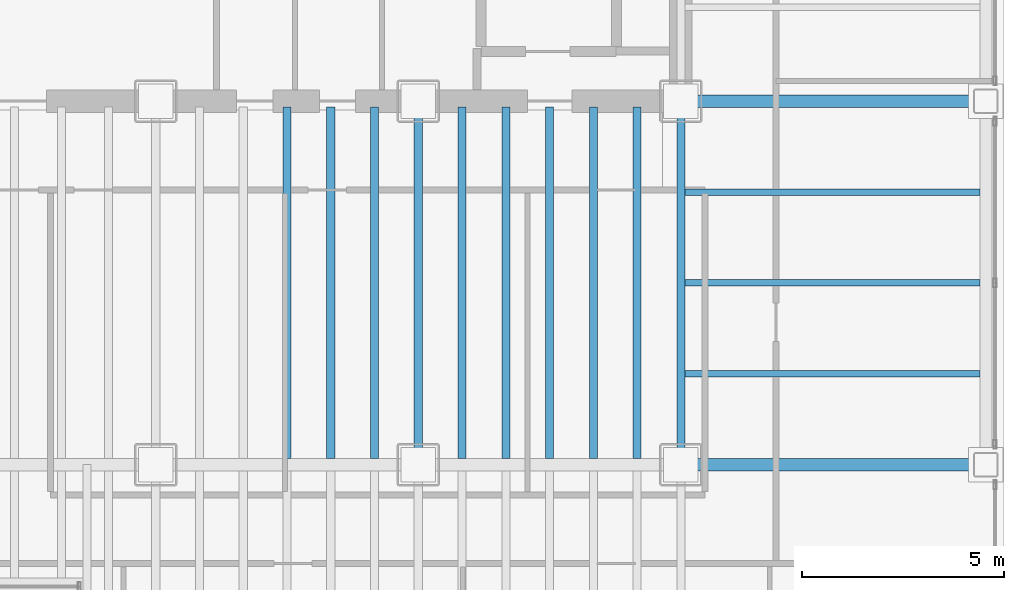
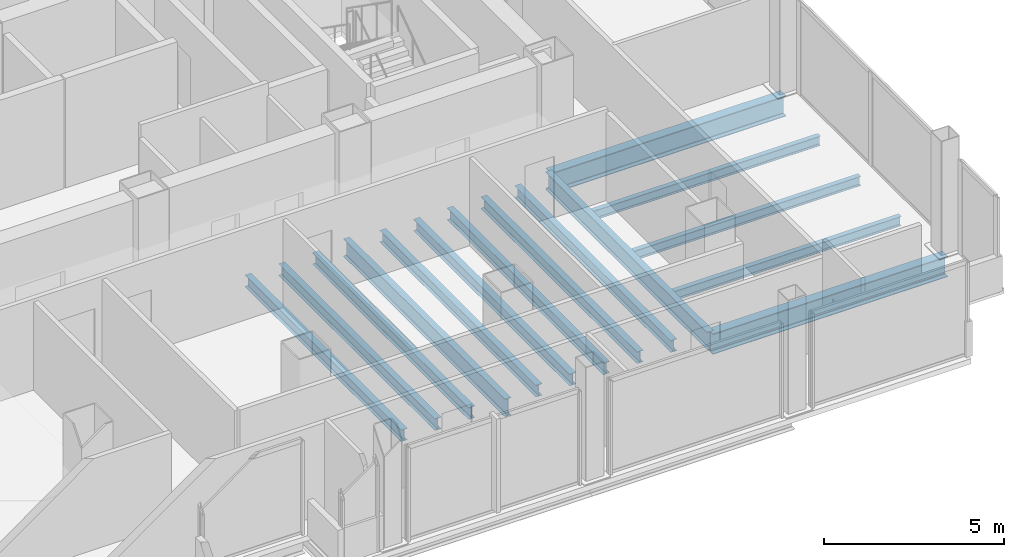
# One storey, part 10 of 21: 15 beams.
"""IFC4 building model written with IfcOpenShell, lengths in metres."""

from ifc_helpers import new_model, si_unit, direction, frame, origin, origin_2d, place, context, subcontext, project, spatial, i_section, extrude, material, material_profile, profile_set, type_object, element, save


model = new_model("IFC4")

# Units and contexts
model_context = context("Model", 3, precision=1e-05, world=origin(), true_north=direction((0.0, 1.0)))
body_context = subcontext(model_context, "Body", "Model", "MODEL_VIEW")
ifc_project = project(units=[si_unit("LENGTHUNIT", "METRE"), si_unit("AREAUNIT", "SQUARE_METRE"), si_unit("VOLUMEUNIT", "CUBIC_METRE"), si_unit("PLANEANGLEUNIT", "RADIAN"), si_unit("MASSUNIT", "GRAM", prefix="KILO")], contexts=[model_context])

# Site, building, storey
site_placement = place(None, origin())
site = spatial("IfcSite", under=ifc_project, at=site_placement, CompositionType="ELEMENT")
building_placement = place(site_placement, origin())
building = spatial("IfcBuilding", under=site, at=building_placement, Name="Noeulbin Bourse Tower", CompositionType="ELEMENT")
storey_placement = place(building_placement, frame((0.0, 0.0, 38.199951171875)))
storey = spatial("IfcBuildingStorey", under=building, at=storey_placement, Name="L09", CompositionType="ELEMENT", Elevation=38.199951171875)

# Beams
ifc_material = material(Name="Steel S355", Category="steel")
ifc_material_profile_1 = material_profile(ifc_material, i_section(OverallWidth=0.199951171875, OverallDepth=0.60009765625, WebThickness=0.010986328125, FlangeThickness=0.01708984375, FilletRadius=0.02197265625, at=origin_2d()), Name="H-600x200x11x17", Category="LoadBearing")
ifc_profile_set_1 = profile_set([ifc_material_profile_1], Name="Steel S355")
beam_type_1 = type_object("IfcBeamType", Name="BM-GRD-600", PredefinedType="USERDEFINED", material=ifc_profile_set_1)
for number, where, z_axis, x_axis, name in (
    (1, (37.5, 20.0, -0.47998046875), (0.0, 1.0, 0.0), (-1.0, 0.0, 0.0), "Tower Primary Girder NS L09-4.2"),
    (2, (44.0, 20.0, -0.47998046875), (0.0, 1.0, 0.0), (-1.0, 0.0, 0.0), "Tower Primary Girder NS L09-5.2"),
):
    element("IfcBeam", number, at=place(storey_placement, frame(where, z_axis=z_axis, x_axis=x_axis)), inside=storey, type_object=beam_type_1, Name=name, ObjectType="GIRDER", PredefinedType="USERDEFINED", context=body_context, shape_type="SweptSolid", body=[
        extrude(i_section(OverallWidth=0.199951171875, OverallDepth=0.60009765625, WebThickness=0.010986328125, FlangeThickness=0.01708984375, FilletRadius=0.02197265625, at=origin_2d()), origin(), (0.0, 0.0, 1.0), 9.0),
    ])
ifc_material_profile_2 = material_profile(ifc_material, i_section(OverallWidth=0.300048828125, OverallDepth=0.699951171875, WebThickness=0.012939453125, FlangeThickness=0.02392578125, FilletRadius=0.02392578125, at=origin_2d()), Name="H-700x300x13x24", Category="LoadBearing")
ifc_profile_set_2 = profile_set([ifc_material_profile_2], Name="Steel S355")
beam_type_2 = type_object("IfcBeamType", Name="BM-GRD-700", PredefinedType="USERDEFINED", material=ifc_profile_set_2)
for number, where, z_axis, x_axis, name in (
    (3, (44.0, 20.0, -0.530029296875), (1.0, 0.0, 0.0), (0.0, 1.0, 0.0), "Tower Primary Girder EW L09-1.6"),
    (4, (44.0, 29.0, -0.530029296875), (1.0, 0.0, 0.0), (0.0, 1.0, 0.0), "Tower Primary Girder EW L09-2.6"),
):
    element("IfcBeam", number, at=place(storey_placement, frame(where, z_axis=z_axis, x_axis=x_axis)), inside=storey, type_object=beam_type_2, Name=name, ObjectType="GIRDER", PredefinedType="USERDEFINED", context=body_context, shape_type="SweptSolid", body=[
        extrude(i_section(OverallWidth=0.300048828125, OverallDepth=0.699951171875, WebThickness=0.012939453125, FlangeThickness=0.02392578125, FilletRadius=0.02392578125, at=origin_2d()), origin(), (0.0, 0.0, 1.0), 7.550048828125),
    ])
ifc_material_profile_3 = material_profile(ifc_material, i_section(OverallWidth=0.159912109375, OverallDepth=0.320068359375, WebThickness=0.006591796875, FlangeThickness=0.010009765625, FilletRadius=0.012939453125, at=origin_2d()), Name="H-320x160x6.5x10", Category="LoadBearing")
ifc_profile_set_3 = profile_set([ifc_material_profile_3], Name="Steel S355")
beam_type_3 = type_object("IfcBeamType", Name="BM-JST-320", PredefinedType="JOIST", material=ifc_profile_set_3)
for number, where, z_axis, x_axis, name in (
    (5, (44.10009765625, 22.25, -0.33984375), (1.0, 0.0, 0.0), (0.0, 1.0, 0.0), "Wing Composite Joist L09-E76"),
    (6, (44.10009765625, 24.5, -0.33984375), (1.0, 0.0, 0.0), (0.0, 1.0, 0.0), "Wing Composite Joist L09-E77"),
    (7, (44.10009765625, 26.75, -0.33984375), (1.0, 0.0, 0.0), (0.0, 1.0, 0.0), "Wing Composite Joist L09-E78"),
):
    element("IfcBeam", number, at=place(storey_placement, frame(where, z_axis=z_axis, x_axis=x_axis)), inside=storey, type_object=beam_type_3, Name=name, PredefinedType="JOIST", context=body_context, shape_type="SweptSolid", body=[
        extrude(i_section(OverallWidth=0.159912109375, OverallDepth=0.320068359375, WebThickness=0.006591796875, FlangeThickness=0.010009765625, FilletRadius=0.012939453125, at=origin_2d()), origin(), (0.0, 0.0, 1.0), 7.2998046875),
    ])
ifc_material_profile_4 = material_profile(ifc_material, i_section(OverallWidth=0.199951171875, OverallDepth=0.39990234375, WebThickness=0.008056640625, FlangeThickness=0.012939453125, FilletRadius=0.01611328125, at=origin_2d()), Name="H-400x200x8x13", Category="LoadBearing")
ifc_profile_set_4 = profile_set([ifc_material_profile_4], Name="Steel S355")
beam_type_4 = type_object("IfcBeamType", Name="BM-SEC-400", PredefinedType="BEAM", material=ifc_profile_set_4)
for number, where, z_axis, x_axis, name in (
    (8, (34.25, 20.14990234375, -0.3798828125), (0.0, 1.0, 0.0), (-1.0, 0.0, 0.0), "Tower Composite Joist L09-47"),
    (9, (35.333251953125, 20.14990234375, -0.3798828125), (0.0, 1.0, 0.0), (-1.0, 0.0, 0.0), "Tower Composite Joist L09-50"),
    (10, (36.416748046875, 20.14990234375, -0.3798828125), (0.0, 1.0, 0.0), (-1.0, 0.0, 0.0), "Tower Composite Joist L09-53"),
    (11, (38.583251953125, 20.14990234375, -0.3798828125), (0.0, 1.0, 0.0), (-1.0, 0.0, 0.0), "Tower Composite Joist L09-56"),
    (12, (39.666748046875, 20.14990234375, -0.3798828125), (0.0, 1.0, 0.0), (-1.0, 0.0, 0.0), "Tower Composite Joist L09-59"),
    (13, (40.75, 20.14990234375, -0.3798828125), (0.0, 1.0, 0.0), (-1.0, 0.0, 0.0), "Tower Composite Joist L09-62"),
    (14, (41.833251953125, 20.14990234375, -0.3798828125), (0.0, 1.0, 0.0), (-1.0, 0.0, 0.0), "Tower Composite Joist L09-65"),
    (15, (42.916748046875, 20.14990234375, -0.3798828125), (0.0, 1.0, 0.0), (-1.0, 0.0, 0.0), "Tower Composite Joist L09-68"),
):
    element("IfcBeam", number, at=place(storey_placement, frame(where, z_axis=z_axis, x_axis=x_axis)), inside=storey, type_object=beam_type_4, Name=name, PredefinedType="BEAM", context=body_context, shape_type="SweptSolid", body=[
        extrude(i_section(OverallWidth=0.199951171875, OverallDepth=0.39990234375, WebThickness=0.008056640625, FlangeThickness=0.012939453125, FilletRadius=0.01611328125, at=origin_2d()), origin(), (0.0, 0.0, 1.0), 8.7001953125),
    ])

save(model, "model.ifc")
